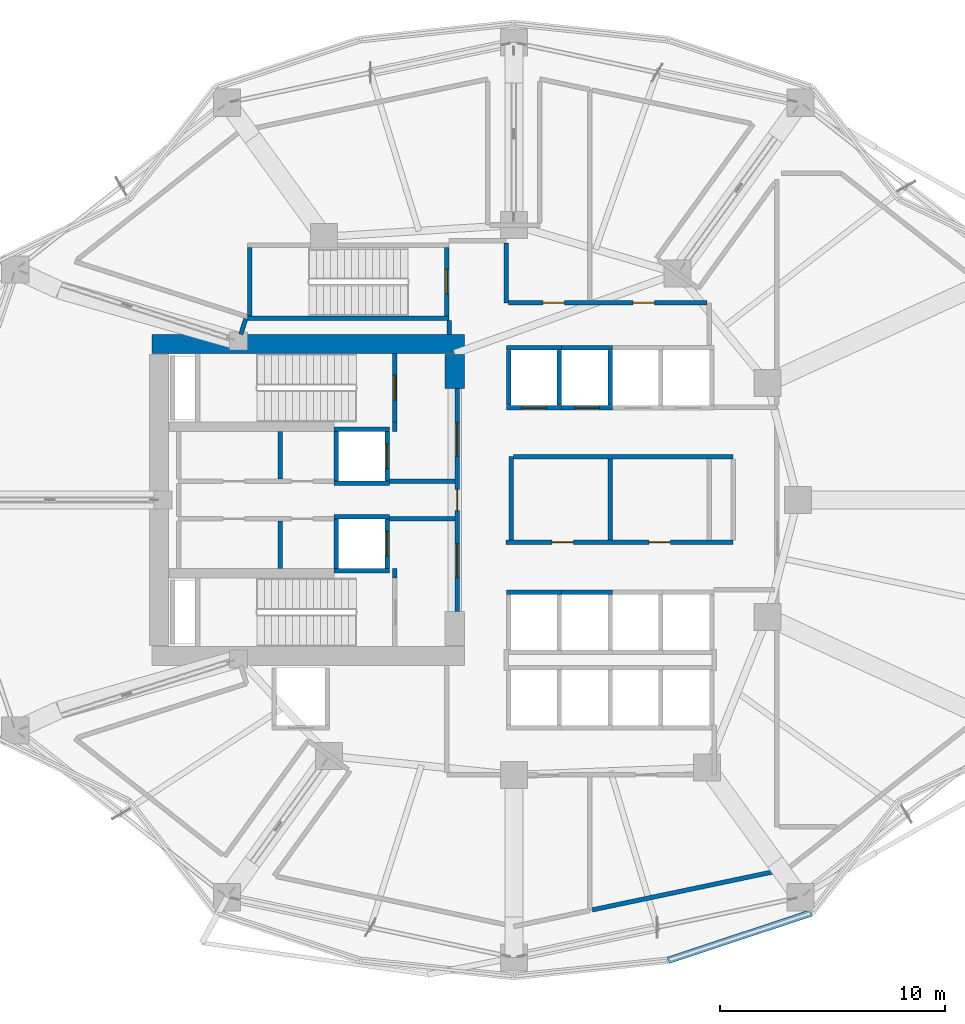
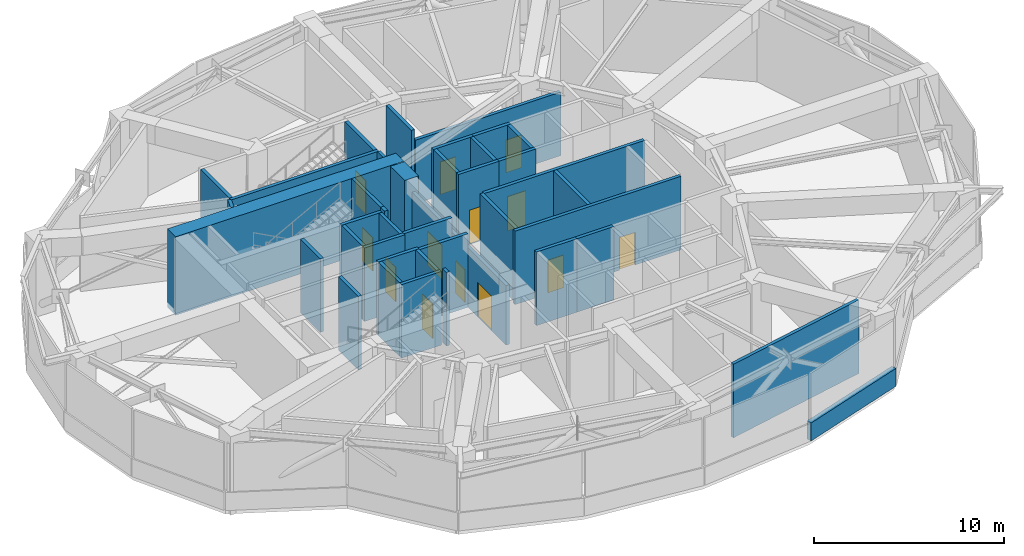
# One storey, part 8 of 12: 40 walls, 13 doors, 13 openings.
"""IFC4 building model written with IfcOpenShell, lengths in metres."""

from ifc_helpers import new_model, si_unit, direction, frame, frame_2d, origin, place, context, subcontext, project, spatial, rectangle, extrude, material, layer, layer_set, type_object, element, fill, save


model = new_model("IFC4")

# Units and contexts
model_context = context("Model", 3, precision=1e-05, world=origin(), true_north=direction((0.0, 1.0)))
body_context = subcontext(model_context, "Body", "Model", "MODEL_VIEW")
ifc_project = project(units=[si_unit("LENGTHUNIT", "METRE"), si_unit("AREAUNIT", "SQUARE_METRE"), si_unit("VOLUMEUNIT", "CUBIC_METRE"), si_unit("PLANEANGLEUNIT", "RADIAN"), si_unit("MASSUNIT", "GRAM", prefix="KILO")], contexts=[model_context])

# Site, building, storey
site_placement = place(None, origin())
site = spatial("IfcSite", under=ifc_project, at=site_placement, CompositionType="ELEMENT")
building_placement = place(site_placement, origin())
building = spatial("IfcBuilding", under=site, at=building_placement, Name="Kolvaren Gate Tower and Convention Centre", CompositionType="ELEMENT")
storey_placement = place(building_placement, frame((0.0, 0.0, 95.800048828125)))
storey = spatial("IfcBuildingStorey", under=building, at=storey_placement, Name="L23", CompositionType="ELEMENT", Elevation=95.800048828125)

# Walls
ifc_material_1 = material(Name="Autoclaved Aerated Masonry Blockwork Class 4 (4.0 MPa)", Category="masonry")
ifc_layer_1 = layer(ifc_material_1, 0.199951171875)
ifc_layer_set_1 = layer_set([ifc_layer_1], Name="Autoclaved Aerated Masonry Blockwork Class 4 (4.0 MPa)")
wall_type_1 = type_object("IfcWallType", Name="ARCH-WL-SHAFT-200", PredefinedType="SOLIDWALL", material=ifc_layer_set_1)
for number, where, z_axis, x_axis, name in (
    (1, (22.14990234375, 30.139892578125, 0.0), (0.0, 0.0, 1.0), (1.0, 0.0, 0.0), "Elevator FF-01 L23 Fire Shaft Wall N"),
    (2, (22.14990234375, 27.739990234375, 0.0), (0.0, 0.0, 1.0), (1.0, 0.0, 0.0), "Elevator FF-01 L23 Fire Shaft Wall S"),
):
    element("IfcWall", number, at=place(storey_placement, frame(where, z_axis=z_axis, x_axis=x_axis)), inside=storey, type_object=wall_type_1, Name=name, PredefinedType="SOLIDWALL", context=body_context, shape_type="SweptSolid", body=[
        extrude(rectangle(XDim=2.4501953125, YDim=0.199951171875, at=frame_2d((1.22509765625, 0.0))), origin(), (0.0, 0.0, 1.0), 4.719970703125),
    ])
wall_1_placement = place(storey_placement, frame((22.25, 27.85009765625, 0.0), z_axis=(0.0, 0.0, 1.0), x_axis=(0.0, 1.0, 0.0)))
element("IfcWall", 3, at=wall_1_placement, inside=storey, type_object=wall_type_1, Name="Elevator FF-01 L23 Fire Shaft Wall W", PredefinedType="SOLIDWALL", context=body_context, shape_type="SweptSolid", body=[
    extrude(rectangle(XDim=2.179931640625, YDim=0.199951171875, at=frame_2d((1.08984375, 0.0))), origin(), (0.0, 0.0, 1.0), 4.719970703125),
])

# Wall, opening, door
wall_2_placement = place(storey_placement, frame((24.5, 27.85009765625, 0.0), z_axis=(0.0, 0.0, 1.0), x_axis=(0.0, 1.0, 0.0)))
wall_2 = element("IfcWall", 4, at=wall_2_placement, inside=storey, type_object=wall_type_1, Name="Elevator FF-01 L23 Fire Shaft Wall E", PredefinedType="SOLIDWALL", context=body_context, shape_type="SweptSolid", body=[
    extrude(rectangle(XDim=2.179931640625, YDim=0.199951171875, at=frame_2d((1.08984375, 0.0))), origin(), (0.0, 0.0, 1.0), 4.719970703125),
])
opening_1_placement = place(wall_2_placement, frame((0.5400390625, 0.0, 0.0)))
opening_1 = element("IfcOpeningElement", 5, at=opening_1_placement, cuts=wall_2, Name="Opening LD", PredefinedType="OPENING", context=body_context, shape_type="SweptSolid", body=[
    extrude(rectangle(XDim=1.10009765625, YDim=2.199951171875, at=frame_2d((0.550048828125, 1.10009765625))), frame((0.0, 0.10986328125, 0.0), z_axis=(0.0, -1.0, 0.0), x_axis=(1.0, 0.0, 0.0)), (0.0, 0.0, 1.0), 0.219970703125),
])
ifc_material_2 = material(Name="Brushed Stainless Steel Grade 316L", Category="steel")
door_type_1 = type_object("IfcDoorType", Name="ARCH-DR-LIFT-1100", OperationType="SLIDING_TO_LEFT", PredefinedType="DOOR", material=ifc_material_2)
door_1_placement = place(opening_1_placement, origin())
door_1 = element("IfcDoor", 6, at=door_1_placement, inside=storey, type_object=door_type_1, Name="Elevator FF-01 L23 Sliding Landing Door", OperationType="SLIDING_TO_LEFT", OverallHeight=2.199951171875, OverallWidth=1.10009765625, PredefinedType="DOOR", context=body_context, shape_type="SweptSolid", body=[
    extrude(rectangle(XDim=1.10009765625, YDim=2.199951171875, at=frame_2d((0.550048828125, 1.10009765625))), frame((0.0, 0.02490234375, 0.0), z_axis=(0.0, -1.0, 0.0), x_axis=(1.0, 0.0, 0.0)), (0.0, 0.0, 1.0), 0.050048828125),
])
fill(opening_1, door_1)

# Walls
for number, where, z_axis, x_axis, name in (
    (7, (22.14990234375, 26.260009765625, 0.0), (0.0, 0.0, 1.0), (1.0, 0.0, 0.0), "Elevator FF-02 L23 Fire Shaft Wall N"),
    (8, (22.14990234375, 23.860107421875, 0.0), (0.0, 0.0, 1.0), (1.0, 0.0, 0.0), "Elevator FF-02 L23 Fire Shaft Wall S"),
):
    element("IfcWall", number, at=place(storey_placement, frame(where, z_axis=z_axis, x_axis=x_axis)), inside=storey, type_object=wall_type_1, Name=name, PredefinedType="SOLIDWALL", context=body_context, shape_type="SweptSolid", body=[
        extrude(rectangle(XDim=2.4501953125, YDim=0.199951171875, at=frame_2d((1.22509765625, 0.0))), origin(), (0.0, 0.0, 1.0), 4.719970703125),
    ])
wall_3_placement = place(storey_placement, frame((22.25, 23.969970703125, 0.0), z_axis=(0.0, 0.0, 1.0), x_axis=(0.0, 1.0, 0.0)))
element("IfcWall", 9, at=wall_3_placement, inside=storey, type_object=wall_type_1, Name="Elevator FF-02 L23 Fire Shaft Wall W", PredefinedType="SOLIDWALL", context=body_context, shape_type="SweptSolid", body=[
    extrude(rectangle(XDim=2.179931640625, YDim=0.199951171875, at=frame_2d((1.08984375, 0.0))), origin(), (0.0, 0.0, 1.0), 4.719970703125),
])

# Wall, opening, door
wall_4_placement = place(storey_placement, frame((24.5, 23.969970703125, 0.0), z_axis=(0.0, 0.0, 1.0), x_axis=(0.0, 1.0, 0.0)))
wall_4 = element("IfcWall", 10, at=wall_4_placement, inside=storey, type_object=wall_type_1, Name="Elevator FF-02 L23 Fire Shaft Wall E", PredefinedType="SOLIDWALL", context=body_context, shape_type="SweptSolid", body=[
    extrude(rectangle(XDim=2.179931640625, YDim=0.199951171875, at=frame_2d((1.08984375, 0.0))), origin(), (0.0, 0.0, 1.0), 4.719970703125),
])
opening_2_placement = place(wall_4_placement, frame((0.5400390625, 0.0, 0.0)))
opening_2 = element("IfcOpeningElement", 11, at=opening_2_placement, cuts=wall_4, Name="Opening LD", PredefinedType="OPENING", context=body_context, shape_type="SweptSolid", body=[
    extrude(rectangle(XDim=1.10009765625, YDim=2.199951171875, at=frame_2d((0.550048828125, 1.10009765625))), frame((0.0, 0.10986328125, 0.0), z_axis=(0.0, -1.0, 0.0), x_axis=(1.0, 0.0, 0.0)), (0.0, 0.0, 1.0), 0.219970703125),
])
door_2_placement = place(opening_2_placement, origin())
door_2 = element("IfcDoor", 12, at=door_2_placement, inside=storey, type_object=door_type_1, Name="Elevator FF-02 L23 Sliding Landing Door", OperationType="SLIDING_TO_LEFT", OverallHeight=2.199951171875, OverallWidth=1.10009765625, PredefinedType="DOOR", context=body_context, shape_type="SweptSolid", body=[
    extrude(rectangle(XDim=1.10009765625, YDim=2.199951171875, at=frame_2d((0.550048828125, 1.10009765625))), frame((0.0, 0.02490234375, 0.0), z_axis=(0.0, -1.0, 0.0), x_axis=(1.0, 0.0, 0.0)), (0.0, 0.0, 1.0), 0.050048828125),
])
fill(opening_2, door_2)

# Wall
wall_5_placement = place(storey_placement, frame((29.800048828125, 33.75, 0.0), z_axis=(0.0, 0.0, 1.0), x_axis=(1.0, 0.0, 0.0)))
element("IfcWall", 13, at=wall_5_placement, inside=storey, type_object=wall_type_1, Name="Elevator PL-01 L23 Fire Shaft Wall N", PredefinedType="SOLIDWALL", context=body_context, shape_type="SweptSolid", body=[
    extrude(rectangle(XDim=2.449951171875, YDim=0.199951171875, at=frame_2d((1.22509765625, 0.0))), origin(), (0.0, 0.0, 1.0), 4.719970703125),
])

# Wall, opening, door
wall_6_placement = place(storey_placement, frame((29.800048828125, 31.10009765625, 0.0), z_axis=(0.0, 0.0, 1.0), x_axis=(1.0, 0.0, 0.0)))
wall_6 = element("IfcWall", 14, at=wall_6_placement, inside=storey, type_object=wall_type_1, Name="Elevator PL-01 L23 Fire Shaft Wall S", PredefinedType="SOLIDWALL", context=body_context, shape_type="SweptSolid", body=[
    extrude(rectangle(XDim=2.449951171875, YDim=0.199951171875, at=frame_2d((1.22509765625, 0.0))), origin(), (0.0, 0.0, 1.0), 4.719970703125),
])
opening_3_placement = place(wall_6_placement, frame((0.675048828125, 0.0, 0.0)))
opening_3 = element("IfcOpeningElement", 15, at=opening_3_placement, cuts=wall_6, Name="Opening LD", PredefinedType="OPENING", context=body_context, shape_type="SweptSolid", body=[
    extrude(rectangle(XDim=1.10009765625, YDim=2.199951171875, at=frame_2d((0.550048828125, 1.10009765625))), frame((0.0, 0.10986328125, 0.0), z_axis=(0.0, -1.0, 0.0), x_axis=(1.0, 0.0, 0.0)), (0.0, 0.0, 1.0), 0.219970703125),
])
door_3_placement = place(opening_3_placement, origin())
door_3 = element("IfcDoor", 16, at=door_3_placement, inside=storey, type_object=door_type_1, Name="Elevator PL-01 L23 Sliding Landing Door", OperationType="SLIDING_TO_LEFT", OverallHeight=2.199951171875, OverallWidth=1.10009765625, PredefinedType="DOOR", context=body_context, shape_type="SweptSolid", body=[
    extrude(rectangle(XDim=1.10009765625, YDim=2.199951171875, at=frame_2d((0.550048828125, 1.10009765625))), frame((0.0, 0.02490234375, 0.0), z_axis=(0.0, -1.0, 0.0), x_axis=(1.0, 0.0, 0.0)), (0.0, 0.0, 1.0), 0.050048828125),
])
fill(opening_3, door_3)

# Walls
for number, where, z_axis, x_axis, name in (
    (17, (29.89990234375, 31.2099609375, 0.0), (0.0, 0.0, 1.0), (0.0, 1.0, 0.0), "Elevator PL-01 L23 Fire Shaft Wall W"),
    (18, (32.14990234375, 31.2099609375, 0.0), (0.0, 0.0, 1.0), (0.0, 1.0, 0.0), "Elevator PL-01 L23 Fire Shaft Wall E"),
):
    element("IfcWall", number, at=place(storey_placement, frame(where, z_axis=z_axis, x_axis=x_axis)), inside=storey, type_object=wall_type_1, Name=name, PredefinedType="SOLIDWALL", context=body_context, shape_type="SweptSolid", body=[
        extrude(rectangle(XDim=2.429931640625, YDim=0.199951171875, at=frame_2d((1.21484375, 0.0))), origin(), (0.0, 0.0, 1.0), 4.719970703125),
    ])
wall_7_placement = place(storey_placement, frame((32.25, 33.75, 0.0), z_axis=(0.0, 0.0, 1.0), x_axis=(1.0, 0.0, 0.0)))
element("IfcWall", 19, at=wall_7_placement, inside=storey, type_object=wall_type_1, Name="Elevator PL-02 L23 Fire Shaft Wall N", PredefinedType="SOLIDWALL", context=body_context, shape_type="SweptSolid", body=[
    extrude(rectangle(XDim=2.25, YDim=0.199951171875, at=frame_2d((1.125, 0.0))), origin(), (0.0, 0.0, 1.0), 4.719970703125),
])

# Wall, opening, door
wall_8_placement = place(storey_placement, frame((32.25, 31.10009765625, 0.0), z_axis=(0.0, 0.0, 1.0), x_axis=(1.0, 0.0, 0.0)))
wall_8 = element("IfcWall", 20, at=wall_8_placement, inside=storey, type_object=wall_type_1, Name="Elevator PL-02 L23 Fire Shaft Wall S", PredefinedType="SOLIDWALL", context=body_context, shape_type="SweptSolid", body=[
    extrude(rectangle(XDim=2.25, YDim=0.199951171875, at=frame_2d((1.125, 0.0))), origin(), (0.0, 0.0, 1.0), 4.719970703125),
])
opening_4_placement = place(wall_8_placement, frame((0.574951171875, 0.0, 0.0)))
opening_4 = element("IfcOpeningElement", 21, at=opening_4_placement, cuts=wall_8, Name="Opening LD", PredefinedType="OPENING", context=body_context, shape_type="SweptSolid", body=[
    extrude(rectangle(XDim=1.10009765625, YDim=2.199951171875, at=frame_2d((0.550048828125, 1.10009765625))), frame((0.0, 0.10986328125, 0.0), z_axis=(0.0, -1.0, 0.0), x_axis=(1.0, 0.0, 0.0)), (0.0, 0.0, 1.0), 0.219970703125),
])
door_4_placement = place(opening_4_placement, origin())
door_4 = element("IfcDoor", 22, at=door_4_placement, inside=storey, type_object=door_type_1, Name="Elevator PL-02 L23 Sliding Landing Door", OperationType="SLIDING_TO_LEFT", OverallHeight=2.199951171875, OverallWidth=1.10009765625, PredefinedType="DOOR", context=body_context, shape_type="SweptSolid", body=[
    extrude(rectangle(XDim=1.10009765625, YDim=2.199951171875, at=frame_2d((0.550048828125, 1.10009765625))), frame((0.0, 0.02490234375, 0.0), z_axis=(0.0, -1.0, 0.0), x_axis=(1.0, 0.0, 0.0)), (0.0, 0.0, 1.0), 0.050048828125),
])
fill(opening_4, door_4)

# Walls
wall_9_placement = place(storey_placement, frame((34.39990234375, 31.2099609375, 0.0), z_axis=(0.0, 0.0, 1.0), x_axis=(0.0, 1.0, 0.0)))
element("IfcWall", 23, at=wall_9_placement, inside=storey, type_object=wall_type_1, Name="Elevator PL-02 L23 Fire Shaft Wall E", PredefinedType="SOLIDWALL", context=body_context, shape_type="SweptSolid", body=[
    extrude(rectangle(XDim=2.429931640625, YDim=0.199951171875, at=frame_2d((1.21484375, 0.0))), origin(), (0.0, 0.0, 1.0), 4.719970703125),
])
wall_10_placement = place(storey_placement, frame((29.800048828125, 22.89990234375, 0.0), z_axis=(0.0, 0.0, 1.0), x_axis=(1.0, 0.0, 0.0)))
element("IfcWall", 24, at=wall_10_placement, inside=storey, type_object=wall_type_1, Name="Elevator PL-09 L23 Fire Shaft Wall N", PredefinedType="SOLIDWALL", context=body_context, shape_type="SweptSolid", body=[
    extrude(rectangle(XDim=2.449951171875, YDim=0.199951171875, at=frame_2d((1.22509765625, 0.0))), origin(), (0.0, 0.0, 1.0), 4.719970703125),
])
wall_11_placement = place(storey_placement, frame((32.25, 22.89990234375, 0.0), z_axis=(0.0, 0.0, 1.0), x_axis=(1.0, 0.0, 0.0)))
element("IfcWall", 25, at=wall_11_placement, inside=storey, type_object=wall_type_1, Name="Elevator PL-10 L23 Fire Shaft Wall N", PredefinedType="SOLIDWALL", context=body_context, shape_type="SweptSolid", body=[
    extrude(rectangle(XDim=2.25, YDim=0.199951171875, at=frame_2d((1.125, 0.0))), origin(), (0.0, 0.0, 1.0), 4.719970703125),
])
for number, where, z_axis, x_axis, name in (
    (26, (24.85009765625, 23.5400390625, 0.0), (0.0, 0.0, 1.0), (0.0, 1.0, 0.0), "Interior Partition WL-L23-INT-001"),
    (27, (24.85009765625, 30.0400390625, 0.0), (0.0, 0.0, 1.0), (0.0, 1.0, 0.0), "Interior Partition WL-L23-INT-002"),
):
    element("IfcWall", number, at=place(storey_placement, frame(where, z_axis=z_axis, x_axis=x_axis)), inside=storey, type_object=wall_type_1, Name=name, PredefinedType="SOLIDWALL", context=body_context, shape_type="SweptSolid", body=[
        extrude(rectangle(XDim=0.419921875, YDim=0.199951171875, at=frame_2d((0.2099609375, 0.0))), origin(), (0.0, 0.0, 1.0), 4.719970703125),
    ])

# Wall, openings, doors
wall_12_placement = place(storey_placement, frame((27.6201171875, 22.050048828125, 0.0), z_axis=(0.0, 0.0, 1.0), x_axis=(0.0, 1.0, 0.0)))
wall_12 = element("IfcWall", 28, at=wall_12_placement, inside=storey, type_object=wall_type_1, Name="Interior Partition WL-L23-INT-003", PredefinedType="SOLIDWALL", context=body_context, shape_type="SweptSolid", body=[
    extrude(rectangle(XDim=9.89990234375, YDim=0.199951171875, at=frame_2d((4.949951171875, 0.0))), origin(), (0.0, 0.0, 1.0), 3.81201171875),
])
opening_5_placement = place(wall_12_placement, frame((4.47509765625, 0.0, 0.0)))
opening_5 = element("IfcOpeningElement", 29, at=opening_5_placement, cuts=wall_12, Name="Opening DR-01", PredefinedType="OPENING", context=body_context, shape_type="SweptSolid", body=[
    extrude(rectangle(XDim=0.949951171875, YDim=2.10009765625, at=frame_2d((0.47509765625, 1.050048828125))), frame((0.0, 0.10986328125, 0.0), z_axis=(0.0, -1.0, 0.0), x_axis=(1.0, 0.0, 0.0)), (0.0, 0.0, 1.0), 0.219970703125),
])
opening_6_placement = place(wall_12_placement, frame((6.889892578125, 0.0, 0.0)))
opening_6 = element("IfcOpeningElement", 30, at=opening_6_placement, cuts=wall_12, Name="Opening DL-01", PredefinedType="OPENING", context=body_context, shape_type="SweptSolid", body=[
    extrude(rectangle(XDim=1.5, YDim=2.199951171875, at=frame_2d((0.75, 1.10009765625))), frame((0.0, 0.10986328125, 0.0), z_axis=(0.0, -1.0, 0.0), x_axis=(1.0, 0.0, 0.0)), (0.0, 0.0, 1.0), 0.219970703125),
])
opening_7_placement = place(wall_12_placement, frame((1.510009765625, 0.0, 0.0)))
opening_7 = element("IfcOpeningElement", 31, at=opening_7_placement, cuts=wall_12, Name="Opening DL-01", PredefinedType="OPENING", context=body_context, shape_type="SweptSolid", body=[
    extrude(rectangle(XDim=1.5, YDim=2.199951171875, at=frame_2d((0.75, 1.10009765625))), frame((0.0, 0.10986328125, 0.0), z_axis=(0.0, -1.0, 0.0), x_axis=(1.0, 0.0, 0.0)), (0.0, 0.0, 1.0), 0.219970703125),
])
ifc_material_3 = material(Name="Painted Architectural Steelwork ASTM A500 Grade C 345 MPa", Category="steel")
door_type_2 = type_object("IfcDoorType", Name="ARCH-DR-LOBBY-1500", OperationType="DOUBLE_DOOR_SINGLE_SWING", PredefinedType="DOOR", material=ifc_material_3)
door_5_placement = place(opening_6_placement, origin())
door_5 = element("IfcDoor", 32, at=door_5_placement, inside=storey, type_object=door_type_2, Name="North Firefighting Stair and Lift Lobby Door", OperationType="DOUBLE_DOOR_SINGLE_SWING", OverallHeight=2.199951171875, OverallWidth=1.5, PredefinedType="DOOR", context=body_context, shape_type="SweptSolid", body=[
    extrude(rectangle(XDim=1.5, YDim=2.199951171875, at=frame_2d((0.75, 1.10009765625))), frame((0.0, 0.02490234375, 0.0), z_axis=(0.0, -1.0, 0.0), x_axis=(1.0, 0.0, 0.0)), (0.0, 0.0, 1.0), 0.050048828125),
])
fill(opening_6, door_5)
door_6_placement = place(opening_7_placement, origin())
door_6 = element("IfcDoor", 33, at=door_6_placement, inside=storey, type_object=door_type_2, Name="South Firefighting Stair and Lift Lobby Door", OperationType="DOUBLE_DOOR_SINGLE_SWING", OverallHeight=2.199951171875, OverallWidth=1.5, PredefinedType="DOOR", context=body_context, shape_type="SweptSolid", body=[
    extrude(rectangle(XDim=1.5, YDim=2.199951171875, at=frame_2d((0.75, 1.10009765625))), frame((0.0, 0.02490234375, 0.0), z_axis=(0.0, -1.0, 0.0), x_axis=(1.0, 0.0, 0.0)), (0.0, 0.0, 1.0), 0.050048828125),
])
fill(opening_7, door_6)
door_type_3 = type_object("IfcDoorType", Name="ARCH-DR-RISER-950", OperationType="SINGLE_SWING_RIGHT", PredefinedType="DOOR", material=ifc_material_3)
door_7_placement = place(opening_5_placement, origin())
door_7 = element("IfcDoor", 34, at=door_7_placement, inside=storey, type_object=door_type_3, Name="Central MEP Service Corridor Door", OperationType="SINGLE_SWING_LEFT", OverallHeight=2.10009765625, OverallWidth=0.949951171875, PredefinedType="DOOR", context=body_context, shape_type="SweptSolid", body=[
    extrude(rectangle(XDim=0.949951171875, YDim=2.10009765625, at=frame_2d((0.47509765625, 1.050048828125))), frame((0.0, 0.02490234375, 0.0), z_axis=(0.0, -1.0, 0.0), x_axis=(1.0, 0.0, 0.0)), (0.0, 0.0, 1.0), 0.050048828125),
])
fill(opening_5, door_7)

# Walls
for number, where, z_axis, x_axis, name in (
    (35, (24.60009765625, 27.840087890625, 0.0), (0.0, 0.0, 1.0), (1.0, 0.0, 0.0), "Interior Partition WL-L23-INT-004 (2)"),
    (36, (24.60009765625, 26.159912109375, 0.0), (0.0, 0.0, 1.0), (1.0, 0.0, 0.0), "Interior Partition WL-L23-INT-005 (2)"),
):
    element("IfcWall", number, at=place(storey_placement, frame(where, z_axis=z_axis, x_axis=x_axis)), inside=storey, type_object=wall_type_1, Name=name, PredefinedType="SOLIDWALL", context=body_context, shape_type="SweptSolid", body=[
        extrude(rectangle(XDim=2.91796875, YDim=0.199951171875, at=frame_2d((1.458984375, 0.0))), origin(), (0.0, 0.0, 1.0), 4.719970703125),
    ])
for number, where, z_axis, x_axis, name in (
    (37, (19.75, 23.9619140625, 0.0), (0.0, 0.0, 1.0), (0.0, 1.0, 0.0), "Interior Partition WL-L23-INT-007"),
    (38, (19.75, 27.94189453125, 0.0), (0.0, 0.0, 1.0), (0.0, 1.0, 0.0), "Interior Partition WL-L23-INT-008"),
):
    element("IfcWall", number, at=place(storey_placement, frame(where, z_axis=z_axis, x_axis=x_axis)), inside=storey, type_object=wall_type_1, Name=name, PredefinedType="SOLIDWALL", context=body_context, shape_type="SweptSolid", body=[
        extrude(rectangle(XDim=2.09619140625, YDim=0.199951171875, at=frame_2d((1.048095703125, 0.0))), origin(), (0.0, 0.0, 1.0), 4.719970703125),
    ])

# Wall, openings, doors
wall_13_placement = place(storey_placement, frame((29.780029296875, 25.1201171875, 0.0), z_axis=(0.0, 0.0, 1.0), x_axis=(1.0, 0.0, 0.0)))
wall_13 = element("IfcWall", 39, at=wall_13_placement, inside=storey, type_object=wall_type_1, Name="Interior Partition WL-L23-INT-009", PredefinedType="SOLIDWALL", context=body_context, shape_type="SweptSolid", body=[
    extrude(rectangle(XDim=10.070068359375, YDim=0.199951171875, at=frame_2d((5.03515625, 0.0))), origin(), (0.0, 0.0, 1.0), 4.719970703125),
])
opening_8_placement = place(wall_13_placement, frame((2.0400390625, 0.0, 0.0)))
opening_8 = element("IfcOpeningElement", 40, at=opening_8_placement, cuts=wall_13, Name="Opening DR-01", PredefinedType="OPENING", context=body_context, shape_type="SweptSolid", body=[
    extrude(rectangle(XDim=0.949951171875, YDim=2.10009765625, at=frame_2d((0.47509765625, 1.050048828125))), frame((0.0, 0.10986328125, 0.0), z_axis=(0.0, -1.0, 0.0), x_axis=(1.0, 0.0, 0.0)), (0.0, 0.0, 1.0), 0.219970703125),
])
opening_9_placement = place(wall_13_placement, frame((6.344970703125, 0.0, 0.0)))
opening_9 = element("IfcOpeningElement", 41, at=opening_9_placement, cuts=wall_13, Name="Opening DR-01", PredefinedType="OPENING", context=body_context, shape_type="SweptSolid", body=[
    extrude(rectangle(XDim=0.949951171875, YDim=2.10009765625, at=frame_2d((0.47509765625, 1.050048828125))), frame((0.0, 0.10986328125, 0.0), z_axis=(0.0, -1.0, 0.0), x_axis=(1.0, 0.0, 0.0)), (0.0, 0.0, 1.0), 0.219970703125),
])
door_8_placement = place(opening_8_placement, origin())
door_8 = element("IfcDoor", 42, at=door_8_placement, inside=storey, type_object=door_type_3, Name="Mechanical Floor Staff Washroom Door", OperationType="SINGLE_SWING_RIGHT", OverallHeight=2.10009765625, OverallWidth=0.949951171875, PredefinedType="DOOR", context=body_context, shape_type="SweptSolid", body=[
    extrude(rectangle(XDim=0.949951171875, YDim=2.10009765625, at=frame_2d((0.47509765625, 1.050048828125))), frame((0.0, 0.02490234375, 0.0), z_axis=(0.0, -1.0, 0.0), x_axis=(1.0, 0.0, 0.0)), (0.0, 0.0, 1.0), 0.050048828125),
])
fill(opening_8, door_8)
door_9_placement = place(opening_9_placement, origin())
door_9 = element("IfcDoor", 43, at=door_9_placement, inside=storey, type_object=door_type_3, Name="Mechanical Floor Spare Parts Store Door", OperationType="SINGLE_SWING_LEFT", OverallHeight=2.10009765625, OverallWidth=0.949951171875, PredefinedType="DOOR", context=body_context, shape_type="SweptSolid", body=[
    extrude(rectangle(XDim=0.949951171875, YDim=2.10009765625, at=frame_2d((0.47509765625, 1.050048828125))), frame((0.0, 0.02490234375, 0.0), z_axis=(0.0, -1.0, 0.0), x_axis=(1.0, 0.0, 0.0)), (0.0, 0.0, 1.0), 0.050048828125),
])
fill(opening_9, door_9)

# Walls
wall_14_placement = place(storey_placement, frame((30.0, 25.221923828125, 0.0), z_axis=(0.0, 0.0, 1.0), x_axis=(0.0, 1.0, 0.0)))
element("IfcWall", 44, at=wall_14_placement, inside=storey, type_object=wall_type_1, Name="Interior Partition WL-L23-INT-010", PredefinedType="SOLIDWALL", context=body_context, shape_type="SweptSolid", body=[
    extrude(rectangle(XDim=3.697998046875, YDim=0.199951171875, at=frame_2d((1.84912109375, 0.0))), origin(), (0.0, 0.0, 1.0), 4.719970703125),
])
wall_15_placement = place(storey_placement, frame((30.10205078125, 28.919921875, 0.0), z_axis=(0.0, 0.0, 1.0), x_axis=(1.0, 0.0, 0.0)))
element("IfcWall", 45, at=wall_15_placement, inside=storey, type_object=wall_type_1, Name="Interior Partition WL-L23-INT-011", PredefinedType="SOLIDWALL", context=body_context, shape_type="SweptSolid", body=[
    extrude(rectangle(XDim=9.748046875, YDim=0.199951171875, at=frame_2d((4.8740234375, 0.0))), origin(), (0.0, 0.0, 1.0), 4.719970703125),
])
wall_16_placement = place(storey_placement, frame((34.39990234375, 25.221923828125, 0.0), z_axis=(0.0, 0.0, 1.0), x_axis=(0.0, 1.0, 0.0)))
element("IfcWall", 46, at=wall_16_placement, inside=storey, type_object=wall_type_1, Name="Interior Partition WL-L23-INT-012", PredefinedType="SOLIDWALL", context=body_context, shape_type="SweptSolid", body=[
    extrude(rectangle(XDim=3.59619140625, YDim=0.199951171875, at=frame_2d((1.798095703125, 0.0))), origin(), (0.0, 0.0, 1.0), 4.719970703125),
])
wall_17_placement = place(storey_placement, frame((27.25, 34.35205078125, 0.0), z_axis=(0.0, 0.0, 1.0), x_axis=(0.0, 1.0, 0.0)))
element("IfcWall", 47, at=wall_17_placement, inside=storey, type_object=wall_type_1, Name="Interior Partition WL-L23-INT-018", PredefinedType="SOLIDWALL", context=body_context, shape_type="SweptSolid", body=[
    extrude(rectangle(XDim=0.60595703125, YDim=0.199951171875, at=frame_2d((0.302978515625, 0.0))), origin(), (0.0, 0.0, 1.0), 4.719970703125),
])
wall_18_placement = place(storey_placement, frame((29.780029296875, 35.75, 0.0), z_axis=(0.0, 0.0, 1.0), x_axis=(0.0, 1.0, 0.0)))
element("IfcWall", 48, at=wall_18_placement, inside=storey, type_object=wall_type_1, Name="Interior Partition WL-L23-INT-021", PredefinedType="SOLIDWALL", context=body_context, shape_type="SweptSolid", body=[
    extrude(rectangle(XDim=2.64794921875, YDim=0.199951171875, at=frame_2d((1.323974609375, 0.0))), origin(), (0.0, 0.0, 1.0), 4.719970703125),
])

# Wall, openings, doors
wall_19_placement = place(storey_placement, frame((29.882080078125, 35.75, 0.0), z_axis=(0.0, 0.0, 1.0), x_axis=(1.0, 0.0, 0.0)))
wall_19 = element("IfcWall", 49, at=wall_19_placement, inside=storey, type_object=wall_type_1, Name="Interior Partition WL-L23-INT-022", PredefinedType="SOLIDWALL", context=body_context, shape_type="SweptSolid", body=[
    extrude(rectangle(XDim=8.81591796875, YDim=0.199951171875, at=frame_2d((4.407958984375, 0.0))), origin(), (0.0, 0.0, 1.0), 4.083984375),
])
opening_10_placement = place(wall_19_placement, frame((5.537109375, 0.0, 0.0)))
opening_10 = element("IfcOpeningElement", 50, at=opening_10_placement, cuts=wall_19, Name="Opening DR-01", PredefinedType="OPENING", context=body_context, shape_type="SweptSolid", body=[
    extrude(rectangle(XDim=0.949951171875, YDim=2.10009765625, at=frame_2d((0.47509765625, 1.050048828125))), frame((0.0, 0.10986328125, 0.0), z_axis=(0.0, -1.0, 0.0), x_axis=(1.0, 0.0, 0.0)), (0.0, 0.0, 1.0), 0.219970703125),
])
opening_11_placement = place(wall_19_placement, frame((1.5390625, 0.0, 0.0)))
opening_11 = element("IfcOpeningElement", 51, at=opening_11_placement, cuts=wall_19, Name="Opening DR-01", PredefinedType="OPENING", context=body_context, shape_type="SweptSolid", body=[
    extrude(rectangle(XDim=0.949951171875, YDim=2.10009765625, at=frame_2d((0.47509765625, 1.050048828125))), frame((0.0, 0.10986328125, 0.0), z_axis=(0.0, -1.0, 0.0), x_axis=(1.0, 0.0, 0.0)), (0.0, 0.0, 1.0), 0.219970703125),
])
door_10_placement = place(opening_10_placement, origin())
door_10 = element("IfcDoor", 52, at=door_10_placement, inside=storey, type_object=door_type_3, Name="Zone Electrical Substation and Switchgear Room Door", OperationType="SINGLE_SWING_LEFT", OverallHeight=2.10009765625, OverallWidth=0.949951171875, PredefinedType="DOOR", context=body_context, shape_type="SweptSolid", body=[
    extrude(rectangle(XDim=0.949951171875, YDim=2.10009765625, at=frame_2d((0.47509765625, 1.050048828125))), frame((0.0, 0.02490234375, 0.0), z_axis=(0.0, -1.0, 0.0), x_axis=(1.0, 0.0, 0.0)), (0.0, 0.0, 1.0), 0.050048828125),
])
fill(opening_10, door_10)
door_11_placement = place(opening_11_placement, origin())
door_11 = element("IfcDoor", 53, at=door_11_placement, inside=storey, type_object=door_type_3, Name="Smoke-Control Fan and Damper Plant Room Door", OperationType="SINGLE_SWING_RIGHT", OverallHeight=2.10009765625, OverallWidth=0.949951171875, PredefinedType="DOOR", context=body_context, shape_type="SweptSolid", body=[
    extrude(rectangle(XDim=0.949951171875, YDim=2.10009765625, at=frame_2d((0.47509765625, 1.050048828125))), frame((0.0, 0.02490234375, 0.0), z_axis=(0.0, -1.0, 0.0), x_axis=(1.0, 0.0, 0.0)), (0.0, 0.0, 1.0), 0.050048828125),
])
fill(opening_11, door_11)

# Walls
wall_20_placement = place(storey_placement, frame((33.60205078125, 8.810302734375, 0.0), z_axis=(0.0, 0.0, 1.0), x_axis=(0.978580818076, 0.205863018764, 0.0)))
element("IfcWall", 54, at=wall_20_placement, inside=storey, type_object=wall_type_1, Name="Interior Partition WL-L23-INT-043 (2)", PredefinedType="SOLIDWALL", context=body_context, shape_type="SweptSolid", body=[
    extrude(rectangle(XDim=8.8447265625, YDim=0.199951171875, at=frame_2d((4.42236328125, 0.0))), origin(), (0.0, 0.0, 1.0), 4.719970703125),
])
wall_21_placement = place(storey_placement, frame((18.010498046875, 34.35205078125, 0.0), z_axis=(0.0, 0.0, 1.0), x_axis=(0.304472538645, 0.952521114312, 0.0)))
element("IfcWall", 55, at=wall_21_placement, inside=storey, type_object=wall_type_1, Name="Interior Partition WL-L23-INT-053", PredefinedType="SOLIDWALL", context=body_context, shape_type="SweptSolid", body=[
    extrude(rectangle(XDim=0.73046875, YDim=0.199951171875, at=frame_2d((0.365234375, 0.0))), origin(), (0.0, 0.0, 1.0), 4.719970703125),
])
ifc_material_4 = material(Name="Piedmont Cream Honed Limestone Cladding", Category="masonry")
ifc_layer_2 = layer(ifc_material_4, 0.300048828125)
ifc_layer_set_2 = layer_set([ifc_layer_2], Name="Piedmont Cream Honed Limestone Cladding")
wall_type_2 = type_object("IfcWallType", Name="ARCH-WL-STONE-300", PredefinedType="SOLIDWALL", material=ifc_layer_set_2)
wall_22_placement = place(storey_placement, frame((36.967529296875, 6.57080078125, 0.0), z_axis=(0.0, 0.0, 1.0), x_axis=(0.949245153629, 0.314537181127, 0.0)))
element("IfcWall", 56, at=wall_22_placement, inside=storey, type_object=wall_type_2, Name="Plant Floor L23 Stone Sill Wall EW-19", PredefinedType="SOLIDWALL", context=body_context, shape_type="SweptSolid", body=[
    extrude(rectangle(XDim=6.717041015625, YDim=0.300048828125, at=frame_2d((3.3583984375, 0.0))), origin(), (0.0, 0.0, 1.0), 1.14990234375),
])
ifc_material_5 = material(Name="Concrete C70/85", Category="concrete")
ifc_layer_3 = layer(ifc_material_5, 0.85009765625)
ifc_layer_set_3 = layer_set([ifc_layer_3], Name="Concrete C70/85")
wall_type_3 = type_object("IfcWallType", Name="STR-WL-CORE-850", PredefinedType="SHEAR", material=ifc_layer_set_3)
wall_23_placement = place(storey_placement, frame((14.074951171875, 33.925048828125, -0.320068359375), z_axis=(0.0, 0.0, 1.0), x_axis=(1.0, 0.0, 0.0)))
element("IfcWall", 57, at=wall_23_placement, inside=storey, type_object=wall_type_3, Name="Tower L23 Offset Core Shear Wall N", PredefinedType="SHEAR", context=body_context, shape_type="SweptSolid", body=[
    extrude(rectangle(XDim=13.85009765625, YDim=0.85009765625, at=frame_2d((6.925048828125, 0.0))), origin(), (0.0, 0.0, 1.0), 5.0400390625),
])
wall_24_placement = place(storey_placement, frame((27.5, 31.949951171875, -0.320068359375), z_axis=(0.0, 0.0, 1.0), x_axis=(0.0, 1.0, 0.0)))
element("IfcWall", 58, at=wall_24_placement, inside=storey, type_object=wall_type_3, Name="Tower L23 Offset Core Shear Wall EN", PredefinedType="SHEAR", context=body_context, shape_type="SweptSolid", body=[
    extrude(rectangle(XDim=1.5, YDim=0.85009765625, at=frame_2d((0.75, 0.0))), origin(), (0.0, 0.0, 1.0), 5.0400390625),
])

# Wall, opening, door
ifc_material_6 = material(Name="Concrete C50/60", Category="concrete")
ifc_layer_4 = layer(ifc_material_6, 0.199951171875)
ifc_layer_set_4 = layer_set([ifc_layer_4], Name="Concrete C50/60")
wall_type_4 = type_object("IfcWallType", Name="STR-WL-SHAFT-200", PredefinedType="SHEAR", material=ifc_layer_set_4)
wall_25_placement = place(storey_placement, frame((24.85009765625, 30.4599609375, -0.320068359375), z_axis=(0.0, 0.0, 1.0), x_axis=(0.0, 1.0, 0.0)))
wall_25 = element("IfcWall", 59, at=wall_25_placement, inside=storey, type_object=wall_type_4, Name="Tower North Exit Stair ST-T1 L23 Structural Shear Enclosure Wall NEAR", PredefinedType="SHEAR", context=body_context, shape_type="SweptSolid", body=[
    extrude(rectangle(XDim=3.0380859375, YDim=0.199951171875, at=frame_2d((1.51904296875, 0.0))), origin(), (0.0, 0.0, 1.0), 5.0400390625),
])
opening_12_placement = place(wall_25_placement, frame((0.968994140625, 0.0, 0.320068359375)))
opening_12 = element("IfcOpeningElement", 60, at=opening_12_placement, cuts=wall_25, Name="Opening DS-01", PredefinedType="OPENING", context=body_context, shape_type="SweptSolid", body=[
    extrude(rectangle(XDim=1.10009765625, YDim=2.14990234375, at=frame_2d((0.550048828125, 1.074951171875))), frame((0.0, 0.10986328125, 0.0), z_axis=(0.0, -1.0, 0.0), x_axis=(1.0, 0.0, 0.0)), (0.0, 0.0, 1.0), 0.219970703125),
])
door_type_4 = type_object("IfcDoorType", Name="ARCH-DR-STAIR-1100", OperationType="SINGLE_SWING_LEFT", PredefinedType="DOOR", material=ifc_material_3)
door_12_placement = place(opening_12_placement, origin())
door_12 = element("IfcDoor", 61, at=door_12_placement, inside=storey, type_object=door_type_4, Name="Tower North Exit Stair ST-T1 L23 Fire Exit Stair Door", OperationType="SINGLE_SWING_LEFT", OverallHeight=2.14990234375, OverallWidth=1.10009765625, PredefinedType="DOOR", context=body_context, shape_type="SweptSolid", body=[
    extrude(rectangle(XDim=1.10009765625, YDim=2.14990234375, at=frame_2d((0.550048828125, 1.074951171875))), frame((0.0, 0.02490234375, 0.0), z_axis=(0.0, -1.0, 0.0), x_axis=(1.0, 0.0, 0.0)), (0.0, 0.0, 1.0), 0.050048828125),
])
fill(opening_12, door_12)

wall_26_placement = place(storey_placement, frame((27.14990234375, 35.159912109375, -0.320068359375), z_axis=(0.0, 0.0, 1.0), x_axis=(0.0, 1.0, 0.0)))
wall_26 = element("IfcWall", 62, at=wall_26_placement, inside=storey, type_object=wall_type_4, Name="Tower Mid-Zone Exit Stair ST-T3 L23 Structural Shear Enclosure Wall NEAR", PredefinedType="SHEAR", context=body_context, shape_type="SweptSolid", body=[
    extrude(rectangle(XDim=3.0400390625, YDim=0.199951171875, at=frame_2d((1.52001953125, 0.0))), origin(), (0.0, 0.0, 1.0), 5.0400390625),
])
opening_13_placement = place(wall_26_placement, frame((0.969970703125, 0.0, 0.320068359375)))
opening_13 = element("IfcOpeningElement", 63, at=opening_13_placement, cuts=wall_26, Name="Opening DS-01", PredefinedType="OPENING", context=body_context, shape_type="SweptSolid", body=[
    extrude(rectangle(XDim=1.10009765625, YDim=2.14990234375, at=frame_2d((0.550048828125, 1.074951171875))), frame((0.0, 0.10986328125, 0.0), z_axis=(0.0, -1.0, 0.0), x_axis=(1.0, 0.0, 0.0)), (0.0, 0.0, 1.0), 0.219970703125),
])
door_13_placement = place(opening_13_placement, origin())
door_13 = element("IfcDoor", 64, at=door_13_placement, inside=storey, type_object=door_type_4, Name="Tower Mid-Zone Exit Stair ST-T3 L23 Fire Exit Stair Door", OperationType="SINGLE_SWING_LEFT", OverallHeight=2.14990234375, OverallWidth=1.10009765625, PredefinedType="DOOR", context=body_context, shape_type="SweptSolid", body=[
    extrude(rectangle(XDim=1.10009765625, YDim=2.14990234375, at=frame_2d((0.550048828125, 1.074951171875))), frame((0.0, 0.02490234375, 0.0), z_axis=(0.0, -1.0, 0.0), x_axis=(1.0, 0.0, 0.0)), (0.0, 0.0, 1.0), 0.050048828125),
])
fill(opening_13, door_13)

# Walls
wall_27_placement = place(storey_placement, frame((18.39990234375, 35.159912109375, -0.320068359375), z_axis=(0.0, 0.0, 1.0), x_axis=(0.0, 1.0, 0.0)))
element("IfcWall", 65, at=wall_27_placement, inside=storey, type_object=wall_type_4, Name="Tower Mid-Zone Exit Stair ST-T3 L23 Structural Shear Enclosure Wall FAR", PredefinedType="SHEAR", context=body_context, shape_type="SweptSolid", body=[
    extrude(rectangle(XDim=3.0400390625, YDim=0.199951171875, at=frame_2d((1.52001953125, 0.0))), origin(), (0.0, 0.0, 1.0), 5.0400390625),
])
wall_28_placement = place(storey_placement, frame((18.300048828125, 35.06005859375, -0.320068359375), z_axis=(0.0, 0.0, 1.0), x_axis=(1.0, 0.0, 0.0)))
element("IfcWall", 66, at=wall_28_placement, inside=storey, type_object=wall_type_4, Name="Tower Mid-Zone Exit Stair ST-T3 L23 Structural Shear Enclosure Wall RGHT", PredefinedType="SHEAR", context=body_context, shape_type="SweptSolid", body=[
    extrude(rectangle(XDim=8.949951171875, YDim=0.199951171875, at=frame_2d((4.47509765625, 0.0))), origin(), (0.0, 0.0, 1.0), 5.0400390625),
])

save(model, "model.ifc")
